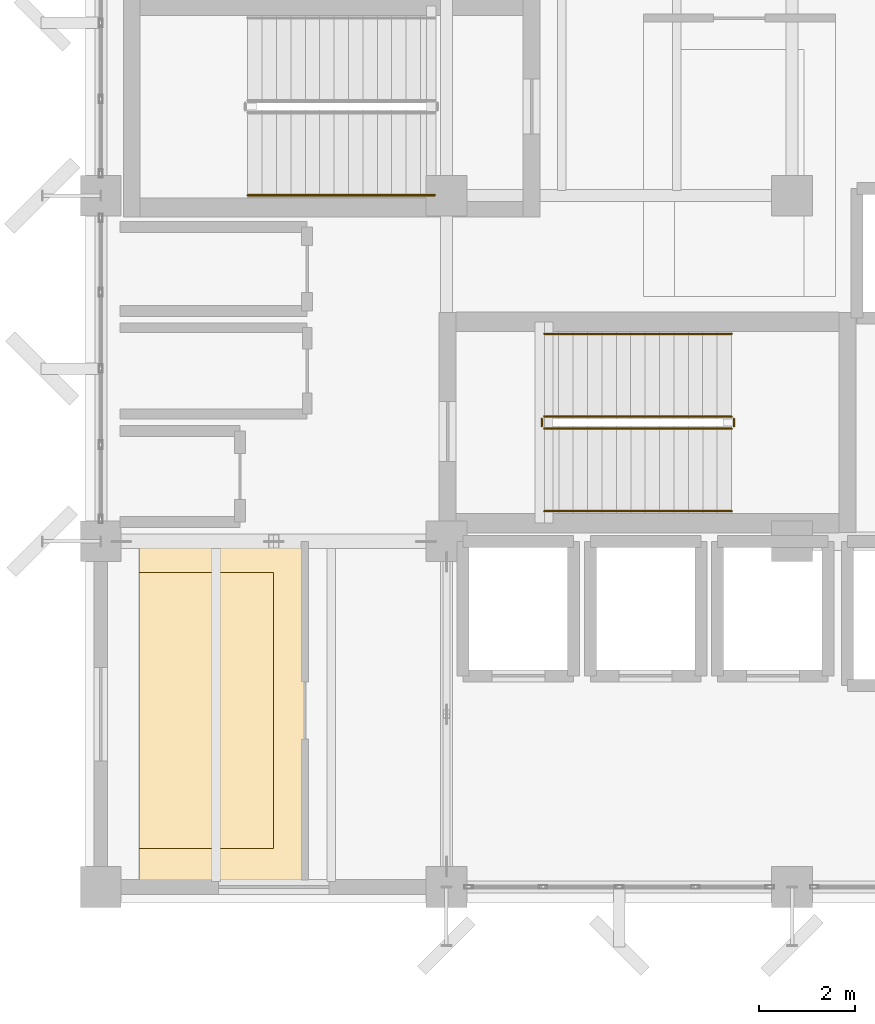
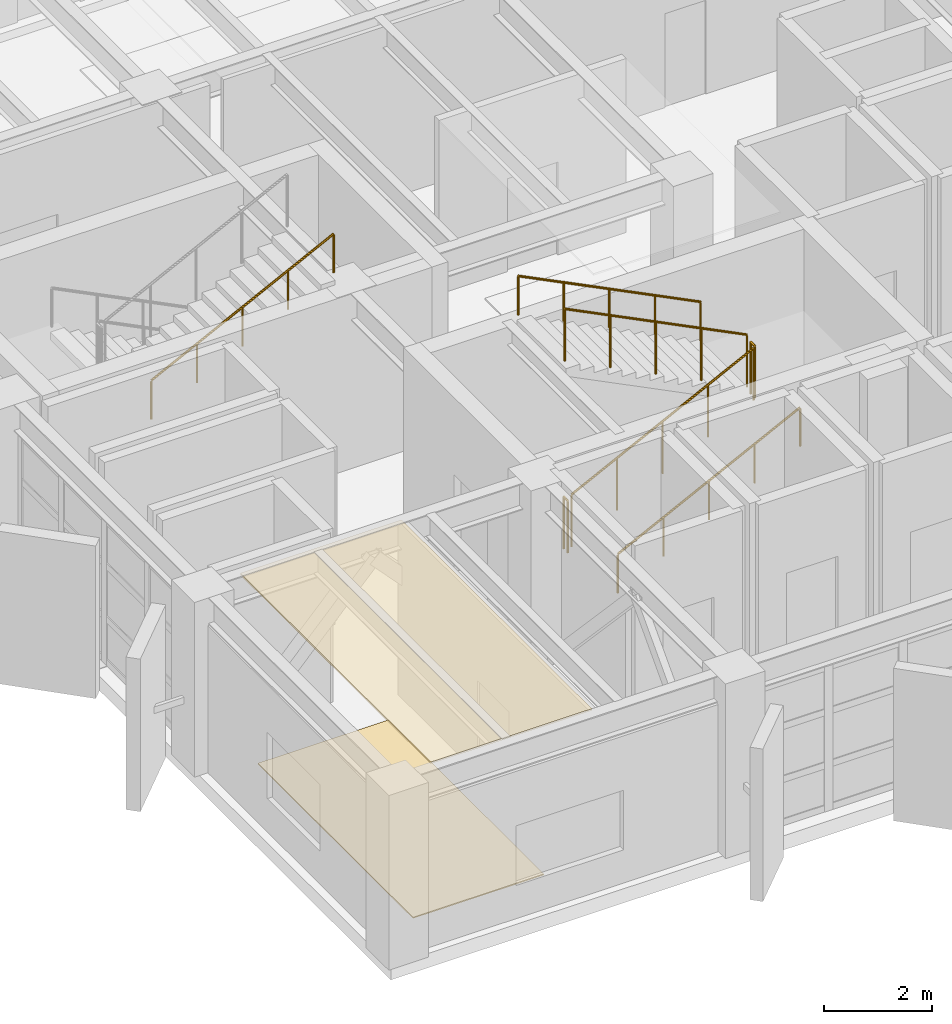
# One storey, part 50 of 59: 7 railings, 2 coverings.
"""IFC4 building model written with IfcOpenShell, lengths in metres."""

from ifc_helpers import new_model, si_unit, direction, frame, origin, origin_2d, place, context, subcontext, project, spatial, polyline, circle, outline, extrude, material, layer, layer_set, type_object, element, save


model = new_model("IFC4")

# Units and contexts
model_context = context("Model", 3, precision=1e-05, world=origin(), true_north=direction((0.0, 1.0)))
body_context = subcontext(model_context, "Body", "Model", "MODEL_VIEW")
ifc_project = project(units=[si_unit("LENGTHUNIT", "METRE"), si_unit("AREAUNIT", "SQUARE_METRE"), si_unit("VOLUMEUNIT", "CUBIC_METRE"), si_unit("PLANEANGLEUNIT", "RADIAN"), si_unit("MASSUNIT", "GRAM", prefix="KILO")], contexts=[model_context])

# Site, building, storey
site_placement = place(None, origin())
site = spatial("IfcSite", under=ifc_project, at=site_placement, CompositionType="ELEMENT")
building_placement = place(site_placement, origin())
building = spatial("IfcBuilding", under=site, at=building_placement, Name="Kandorven Conservatory and Botanical Research Centre", CompositionType="ELEMENT")
storey_placement = place(building_placement, frame((0.0, 0.0, 4.800048828125)))
storey = spatial("IfcBuildingStorey", under=building, at=storey_placement, Name="L01", CompositionType="ELEMENT", Elevation=4.800048828125)

# Coverings
ifc_material_1 = material(Name="Perforated mineral-fibre acoustic ceiling tile", Category="gypsum")
ifc_layer_1 = layer(ifc_material_1, 0.0400390625)
ifc_layer_set_1 = layer_set([ifc_layer_1], Name="Perforated mineral-fibre acoustic ceiling tile")
covering_type_1 = type_object("IfcCoveringType", Name="Cov_Ceiling_1", PredefinedType="CEILING", material=ifc_layer_set_1)
covering_1_placement = place(storey_placement, frame((0.0, 0.0, 3.889892578125)))
element("IfcCovering", 1, at=covering_1_placement, inside=storey, type_object=covering_type_1, Name="Suspended acoustic ceiling CLG-01 (Botanical Chemotaxonomy Research Laboratory L01)", PredefinedType="CEILING", context=body_context, shape_type="SweptSolid", body=[
    extrude(outline(polyline([(6.800048828125, 6.14990234375), (10.25, 6.14990234375), (10.25, 13.199951171875), (6.800048828125, 13.199951171875), (6.800048828125, 6.14990234375)])), origin(), (0.0, 0.0, 1.0), 0.0400390625),
])
ifc_material_2 = material(Name="Honed Kota stone and epoxy laboratory flooring", Category="masonry")
ifc_layer_2 = layer(ifc_material_2, 0.02490234375)
ifc_layer_set_2 = layer_set([ifc_layer_2], Name="Honed Kota stone and epoxy laboratory flooring")
covering_type_2 = type_object("IfcCoveringType", Name="Cov_Flooring_1", PredefinedType="FLOORING", material=ifc_layer_set_2)
covering_2_placement = place(storey_placement, origin())
element("IfcCovering", 2, at=covering_2_placement, inside=storey, type_object=covering_type_2, Name="Floor finish FLR-01 (Botanical Chemotaxonomy Research Laboratory L01)", PredefinedType="FLOORING", context=body_context, shape_type="SweptSolid", body=[
    extrude(outline(polyline([(6.800048828125, 6.800048828125), (9.60009765625, 6.800048828125), (9.60009765625, 12.550048828125), (6.800048828125, 12.550048828125), (6.800048828125, 6.800048828125)])), origin(), (0.0, 0.0, 1.0), 0.02490234375),
])

# Railings
ifc_material_3 = material(Name="Steel S355 (IS 2062 E350)", Category="steel")
railing_type_1 = type_object("IfcRailingType", Name="StairGuard_1150", PredefinedType="BALUSTRADE", material=ifc_material_3)
railing_1_placement = place(storey_placement, frame((15.239990234375, 15.550048828125, 0.14990234375)))
element("IfcRailing", 3, at=railing_1_placement, inside=storey, type_object=railing_type_1, Name="L01 ST-T1 stair guard 1", PredefinedType="BALUSTRADE", context=body_context, shape_type="SweptSolid", body=[
    extrude(circle(Radius=0.02392578125, at=origin_2d()), frame((0.0, 0.0, 1.17578125), z_axis=(0.894427191, 0.0, 0.4472135955), x_axis=(0.0, 1.0, 0.0)), (0.0, 0.0, 1.0), 4.360107421875),
    extrude(circle(Radius=0.02099609375, at=origin_2d()), origin(), (0.0, 0.0, 1.0), 1.15185546875),
    extrude(circle(Radius=0.02099609375, at=origin_2d()), frame((0.97509765625, 0.0, 0.487548828125)), (0.0, 0.0, 1.0), 1.15185546875),
    extrude(circle(Radius=0.02099609375, at=origin_2d()), frame((1.949951171875, 0.0, 0.97509765625)), (0.0, 0.0, 1.0), 1.15185546875),
    extrude(circle(Radius=0.02099609375, at=origin_2d()), frame((2.9248046875, 0.0, 1.46240234375)), (0.0, 0.0, 1.0), 1.15185546875),
    extrude(circle(Radius=0.02099609375, at=origin_2d()), frame((3.89990234375, 0.0, 1.949951171875)), (0.0, 0.0, 1.0), 1.15185546875),
])
railing_2_placement = place(storey_placement, frame((19.18994140625, 15.60009765625, 2.099853515625)))
element("IfcRailing", 4, at=railing_2_placement, inside=storey, type_object=railing_type_1, Name="L01 ST-T1 stair guard 2", PredefinedType="BALUSTRADE", context=body_context, shape_type="SweptSolid", body=[
    extrude(circle(Radius=0.02392578125, at=origin_2d()), frame((0.0, 0.0, 1.17578125), z_axis=(0.0, 1.0, 0.0), x_axis=(-1.0, 0.0, 0.0)), (0.0, 0.0, 1.0), 0.14990234375),
    extrude(circle(Radius=0.02099609375, at=origin_2d()), origin(), (0.0, 0.0, 1.0), 1.15185546875),
    extrude(circle(Radius=0.02099609375, at=origin_2d()), frame((0.0, 0.14990234375, 0.0)), (0.0, 0.0, 1.0), 1.15185546875),
])
railing_3_placement = place(storey_placement, frame((19.139892578125, 15.800048828125, 2.25)))
element("IfcRailing", 5, at=railing_3_placement, inside=storey, type_object=railing_type_1, Name="L01 ST-T1 stair guard 3", PredefinedType="BALUSTRADE", context=body_context, shape_type="SweptSolid", body=[
    extrude(circle(Radius=0.02392578125, at=origin_2d()), frame((0.0, 0.0, 1.17578125), z_axis=(-0.894427191, 0.0, 0.4472135955), x_axis=(0.0, -1.0, 0.0)), (0.0, 0.0, 1.0), 4.360107421875),
    extrude(circle(Radius=0.02099609375, at=origin_2d()), origin(), (0.0, 0.0, 1.0), 1.15185546875),
    extrude(circle(Radius=0.02099609375, at=origin_2d()), frame((-0.97509765625, 0.0, 0.487548828125)), (0.0, 0.0, 1.0), 1.15185546875),
    extrude(circle(Radius=0.02099609375, at=origin_2d()), frame((-1.949951171875, 0.0, 0.97509765625)), (0.0, 0.0, 1.0), 1.15185546875),
    extrude(circle(Radius=0.02099609375, at=origin_2d()), frame((-2.9248046875, 0.0, 1.46240234375)), (0.0, 0.0, 1.0), 1.15185546875),
    extrude(circle(Radius=0.02099609375, at=origin_2d()), frame((-3.89990234375, 0.0, 1.949951171875)), (0.0, 0.0, 1.0), 1.15185546875),
])
railing_4_placement = place(storey_placement, frame((15.18994140625, 15.60009765625, 0.0)))
element("IfcRailing", 6, at=railing_4_placement, inside=storey, type_object=railing_type_1, Name="L01 ST-T1 stair guard 4", PredefinedType="BALUSTRADE", context=body_context, shape_type="SweptSolid", body=[
    extrude(circle(Radius=0.02392578125, at=origin_2d()), frame((0.0, 0.0, 1.17578125), z_axis=(0.0, 1.0, 0.0), x_axis=(-1.0, 0.0, 0.0)), (0.0, 0.0, 1.0), 0.14990234375),
    extrude(circle(Radius=0.02099609375, at=origin_2d()), origin(), (0.0, 0.0, 1.0), 1.15185546875),
    extrude(circle(Radius=0.02099609375, at=origin_2d()), frame((0.0, 0.14990234375, 0.0)), (0.0, 0.0, 1.0), 1.15185546875),
])
ifc_material_4 = material(Name="Steel S355 (IS 2062 E350)", Category="steel")
railing_type_2 = type_object("IfcRailingType", Name="StairHandrail_900", PredefinedType="HANDRAIL", material=ifc_material_4)
railing_5_placement = place(storey_placement, frame((15.239990234375, 13.830078125, 0.14990234375)))
element("IfcRailing", 7, at=railing_5_placement, inside=storey, type_object=railing_type_2, Name="L01 ST-T1 stair handrail 1", PredefinedType="HANDRAIL", context=body_context, shape_type="SweptSolid", body=[
    extrude(circle(Radius=0.02392578125, at=origin_2d()), frame((0.0, 0.0, 0.8759765625), z_axis=(0.894427191, 0.0, 0.4472135955), x_axis=(0.0, 1.0, 0.0)), (0.0, 0.0, 1.0), 4.360107421875),
    extrude(circle(Radius=0.02099609375, at=origin_2d()), origin(), (0.0, 0.0, 1.0), 0.851806640625),
    extrude(circle(Radius=0.02099609375, at=origin_2d()), frame((0.97509765625, 0.0, 0.487548828125)), (0.0, 0.0, 1.0), 0.851806640625),
    extrude(circle(Radius=0.02099609375, at=origin_2d()), frame((1.949951171875, 0.0, 0.97509765625)), (0.0, 0.0, 1.0), 0.851806640625),
    extrude(circle(Radius=0.02099609375, at=origin_2d()), frame((2.9248046875, 0.0, 1.46240234375)), (0.0, 0.0, 1.0), 0.851806640625),
    extrude(circle(Radius=0.02099609375, at=origin_2d()), frame((3.89990234375, 0.0, 1.949951171875)), (0.0, 0.0, 1.0), 0.851806640625),
])
railing_6_placement = place(storey_placement, frame((19.139892578125, 17.52001953125, 2.25)))
element("IfcRailing", 8, at=railing_6_placement, inside=storey, type_object=railing_type_2, Name="L01 ST-T1 stair handrail 2", PredefinedType="HANDRAIL", context=body_context, shape_type="SweptSolid", body=[
    extrude(circle(Radius=0.02392578125, at=origin_2d()), frame((0.0, 0.0, 0.8759765625), z_axis=(-0.894427191, 0.0, 0.4472135955), x_axis=(0.0, -1.0, 0.0)), (0.0, 0.0, 1.0), 4.360107421875),
    extrude(circle(Radius=0.02099609375, at=origin_2d()), origin(), (0.0, 0.0, 1.0), 0.851806640625),
    extrude(circle(Radius=0.02099609375, at=origin_2d()), frame((-0.97509765625, 0.0, 0.487548828125)), (0.0, 0.0, 1.0), 0.851806640625),
    extrude(circle(Radius=0.02099609375, at=origin_2d()), frame((-1.949951171875, 0.0, 0.97509765625)), (0.0, 0.0, 1.0), 0.851806640625),
    extrude(circle(Radius=0.02099609375, at=origin_2d()), frame((-2.9248046875, 0.0, 1.46240234375)), (0.0, 0.0, 1.0), 0.851806640625),
    extrude(circle(Radius=0.02099609375, at=origin_2d()), frame((-3.89990234375, 0.0, 1.949951171875)), (0.0, 0.0, 1.0), 0.851806640625),
])
railing_7_placement = place(storey_placement, frame((9.06005859375, 20.409912109375, 2.25)))
element("IfcRailing", 9, at=railing_7_placement, inside=storey, type_object=railing_type_2, Name="L01 ST-T2 stair handrail 2", PredefinedType="HANDRAIL", context=body_context, shape_type="SweptSolid", body=[
    extrude(circle(Radius=0.02392578125, at=origin_2d()), frame((0.0, 0.0, 0.8759765625), z_axis=(0.894427191, 0.0, 0.4472135955), x_axis=(0.0, 1.0, 0.0)), (0.0, 0.0, 1.0), 4.360107421875),
    extrude(circle(Radius=0.02099609375, at=origin_2d()), origin(), (0.0, 0.0, 1.0), 0.851806640625),
    extrude(circle(Radius=0.02099609375, at=origin_2d()), frame((0.97509765625, 0.0, 0.487548828125)), (0.0, 0.0, 1.0), 0.851806640625),
    extrude(circle(Radius=0.02099609375, at=origin_2d()), frame((1.949951171875, 0.0, 0.97509765625)), (0.0, 0.0, 1.0), 0.851806640625),
    extrude(circle(Radius=0.02099609375, at=origin_2d()), frame((2.9248046875, 0.0, 1.46240234375)), (0.0, 0.0, 1.0), 0.851806640625),
    extrude(circle(Radius=0.02099609375, at=origin_2d()), frame((3.89990234375, 0.0, 1.949951171875)), (0.0, 0.0, 1.0), 0.851806640625),
])

save(model, "model.ifc")
